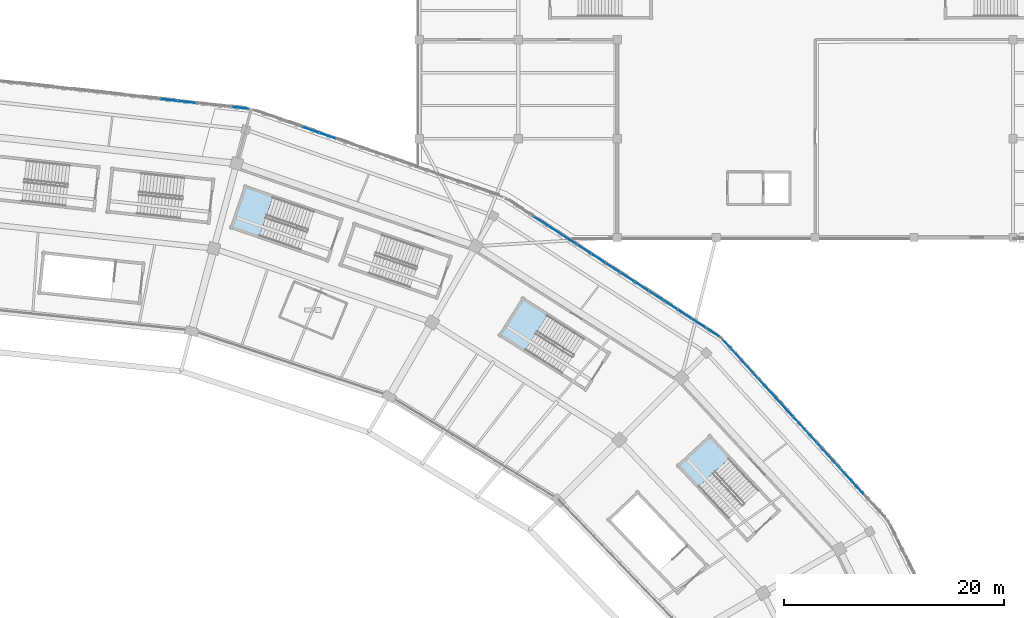
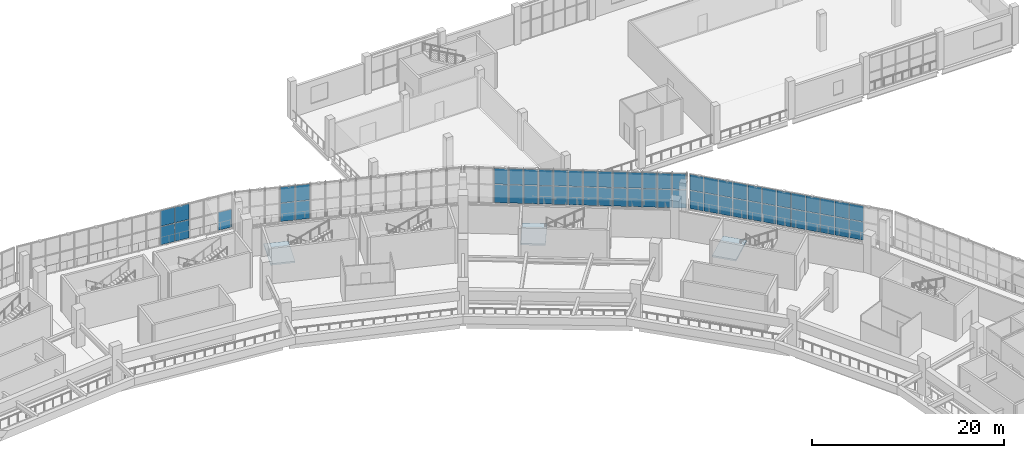
# One storey, part 94 of 179: 59 plates, 3 slabs, 7 elements without a shape of their own.
"""IFC4 building model written with IfcOpenShell, lengths in metres."""

import ifcopenshell
import ifcopenshell.guid

model = None  # the IFC model being written
_history = None  # IfcOwnerHistory: only IFC2X3 demands one
_inside = {}  # id of a spatial element -> (the spatial element, [elements in it])
_under = {}  # id of a project, library or spatial element -> (it, [spatial elements below it])
_declared = {}  # id of a project -> (the project, [libraries it declares])
_typed = {}  # id of a type object -> (the type object, [elements of that type])
_made_of = {}  # id of a material, layer set ... -> (it, [elements and type objects made of it])


def new_model(schema):
    """Start an empty IFC model of exactly this schema.

    Asked for "IFC4X3", IfcOpenShell would pick the latest addendum, in which some entities
    have other attributes; the version numbers below select the first issue.
    IFC2X3 requires an IfcOwnerHistory on every rooted entity: one is made here for all.
    """
    global model, _history
    if schema == "IFC4X3":
        model = ifcopenshell.file(schema_version=(4, 3, 0, 0))
    else:
        model = ifcopenshell.file(schema=schema)
    _inside.clear()
    _under.clear()
    _declared.clear()
    _typed.clear()
    _made_of.clear()
    _history = None
    if model.schema == "IFC2X3":
        org = make("IfcOrganization", Name="unknown")
        user = make(
            "IfcPersonAndOrganization",
            ThePerson=make("IfcPerson", FamilyName="unknown"),
            TheOrganization=org,
        )
        app = make(
            "IfcApplication",
            ApplicationDeveloper=org,
            Version="unknown",
            ApplicationFullName="unknown",
            ApplicationIdentifier="unknown",
        )
        _history = make(
            "IfcOwnerHistory",
            OwningUser=user,
            OwningApplication=app,
            ChangeAction="ADDED",
            CreationDate=0,
        )
    return model


def make(cls, **values):
    """One entity of the class cls with the attributes given. An attribute that is None is left unset."""
    return model.create_entity(
        cls, **{name: value for name, value in values.items() if value is not None}
    )


def rooted(cls, **values):
    """An entity with a GlobalId (a new one), such as an element, a storey or a relation."""
    return make(cls, GlobalId=ifcopenshell.guid.new(), OwnerHistory=_history, **values)


def si_unit(unit_type, name, prefix=None):
    """IfcSIUnit, for example si_unit("LENGTHUNIT", "METRE", prefix="MILLI")."""
    return make("IfcSIUnit", UnitType=unit_type, Prefix=prefix, Name=name)


def assignment(units):
    """IfcUnitAssignment: the units of a project."""
    return None if units is None else make("IfcUnitAssignment", Units=units)


def point(xyz):
    """IfcCartesianPoint."""
    return None if xyz is None else make("IfcCartesianPoint", Coordinates=xyz)


def direction(xyz):
    """IfcDirection."""
    return None if xyz is None else make("IfcDirection", DirectionRatios=xyz)


def frame(location, z_axis=None, x_axis=None):
    """IfcAxis2Placement3D, a coordinate frame: its origin and axes. An axis left out is left unset."""
    return make(
        "IfcAxis2Placement3D",
        Location=point(location),
        Axis=direction(z_axis),
        RefDirection=direction(x_axis),
    )


def frame_2d(location, x_axis=None):
    """IfcAxis2Placement2D, a coordinate frame in the plane: its origin and x axis."""
    return make(
        "IfcAxis2Placement2D", Location=point(location), RefDirection=direction(x_axis)
    )


def origin():
    """The frame at (0, 0, 0) with its axes left unset."""
    return frame((0.0, 0.0, 0.0))


def origin_2d():
    """The frame at (0, 0) in the plane with its x axis left unset."""
    return frame_2d((0.0, 0.0))


def place(relative_to, where):
    """IfcLocalPlacement: puts the frame where relative to a parent placement (None: the world)."""
    return make(
        "IfcLocalPlacement", PlacementRelTo=relative_to, RelativePlacement=where
    )


def context(
    kind, dimensions, precision=None, world=None, true_north=None, identifier=None
):
    """IfcGeometricRepresentationContext, for example the 3D "Model" context."""
    return make(
        "IfcGeometricRepresentationContext",
        ContextIdentifier=identifier,
        ContextType=kind,
        CoordinateSpaceDimension=dimensions,
        Precision=precision,
        WorldCoordinateSystem=world,
        TrueNorth=true_north,
    )


def subcontext(parent, identifier, kind, view, scale=None):
    """IfcGeometricRepresentationSubContext, for example "Body" below "Model"."""
    return make(
        "IfcGeometricRepresentationSubContext",
        ContextIdentifier=identifier,
        ContextType=kind,
        ParentContext=parent,
        TargetScale=scale,
        TargetView=view,
    )


def project(units=None, contexts=None):
    """IfcProject with its units and contexts."""
    return rooted(
        "IfcProject",
        Name="project",
        RepresentationContexts=contexts,
        UnitsInContext=assignment(units),
    )


def spatial(cls, under=None, at=None, **own):
    """A site, building, storey or space (cls), placed at a placement, below another one or the project."""
    s = rooted(cls, ObjectPlacement=at, **own)
    if under is not None:
        _under.setdefault(under.id(), (under, []))[1].append(s)
    return s


def polyline(points):
    """IfcPolyline through the points."""
    return make("IfcPolyline", Points=[point(p) for p in points])


def profile(cls, at=None, kind="AREA", **sizes):
    """A parametric profile (cls). Its sizes go by their IFC names, for example OverallWidth=200.0."""
    return make(cls, ProfileType=kind, Position=at, **sizes)


def rectangle(**sizes):
    """IfcRectangleProfileDef."""
    return profile("IfcRectangleProfileDef", **sizes)


def outline(outer, holes=None, kind="AREA"):
    """IfcArbitraryClosedProfileDef: a profile drawn as a closed curve; with holes, ...WithVoids."""
    if holes is None:
        return make("IfcArbitraryClosedProfileDef", ProfileType=kind, OuterCurve=outer)
    return make(
        "IfcArbitraryProfileDefWithVoids",
        ProfileType=kind,
        OuterCurve=outer,
        InnerCurves=holes,
    )


def extrude(swept, where, along, depth):
    """IfcExtrudedAreaSolid: the profile swept, set in the frame where, extruded along a direction by depth."""
    return make(
        "IfcExtrudedAreaSolid",
        SweptArea=swept,
        Position=where,
        ExtrudedDirection=direction(along),
        Depth=depth,
    )


def shape(context_of_items, identifier, shape_type, items):
    """IfcShapeRepresentation: the items that make up one representation, for example the "Body"."""
    return make(
        "IfcShapeRepresentation",
        ContextOfItems=context_of_items,
        RepresentationIdentifier=identifier,
        RepresentationType=shape_type,
        Items=items,
    )


def material(Name=None, Category=None):
    """IfcMaterial."""
    return make("IfcMaterial", Name=Name, Category=Category)


def layer(
    of_material, thickness, ventilated=None, Name=None, Category=None, Priority=None
):
    """IfcMaterialLayer: one layer of a wall or slab, of a material (None: an air gap)."""
    return make(
        "IfcMaterialLayer",
        Material=of_material,
        LayerThickness=thickness,
        IsVentilated=ventilated,
        Name=Name,
        Category=Category,
        Priority=Priority,
    )


def layer_set(layers, Name=None):
    """IfcMaterialLayerSet."""
    return make("IfcMaterialLayerSet", MaterialLayers=layers, LayerSetName=Name)


def made_of(thing, what):
    """Note that an element or type object is made of a material, layer set ...; save() writes the relation."""
    if what is not None:
        _made_of.setdefault(what.id(), (what, []))[1].append(thing)
    return thing


def type_object(cls, material=None, **own):
    """A type object (cls), such as IfcWallType, which elements share."""
    return made_of(rooted(cls, **own), material)


def element(
    cls,
    number,
    at=None,
    inside=None,
    cuts=None,
    type_object=None,
    material=None,
    context=None,
    identifier="Body",
    shape_type=None,
    held_by="IfcProductDefinitionShape",
    body=None,
    shapes=None,
    **own,
):
    """One element of the class cls, such as IfcWall. Its Tag is "e" and its number.

    at: its placement. inside: the storey or other place that contains it. cuts: it is an
    opening in that element (IfcRelVoidsElement). A single representation is given by context,
    identifier, shape_type and body (its items); several are given by shapes. held_by: the class
    of the entity that holds the representations. save() writes the other relations.
    """
    e = rooted(cls, Tag="e%d" % number, ObjectPlacement=at, **own)
    if body is not None:
        shapes = [shape(context, identifier, shape_type, body)]
    if shapes is not None:
        e.Representation = make(held_by, Representations=shapes)
    if inside is not None:
        _inside.setdefault(inside.id(), (inside, []))[1].append(e)
    if cuts is not None:
        rooted(
            "IfcRelVoidsElement", RelatingBuildingElement=cuts, RelatedOpeningElement=e
        )
    if type_object is not None:
        _typed.setdefault(type_object.id(), (type_object, []))[1].append(e)
    return made_of(e, material)


def aggregate(whole, parts):
    """IfcRelAggregates: a whole, such as a stair, and the parts it consists of."""
    return rooted("IfcRelAggregates", RelatingObject=whole, RelatedObjects=parts)


def save(model, path):
    """Write the relations noted so far, then the file.

    IfcRelAggregates (storeys below a building ...), IfcRelContainedInSpatialStructure (elements
    in a storey), IfcRelDefinesByType, IfcRelAssociatesMaterial and IfcRelDeclares: one each for
    every whole, place, type object, material and project.
    """
    for whole, parts in _under.values():
        aggregate(whole, parts)
    for where, things in _inside.values():
        rooted(
            "IfcRelContainedInSpatialStructure",
            RelatedElements=things,
            RelatingStructure=where,
        )
    for kind, things in _typed.values():
        rooted("IfcRelDefinesByType", RelatedObjects=things, RelatingType=kind)
    for what, things in _made_of.values():
        rooted("IfcRelAssociatesMaterial", RelatedObjects=things, RelatingMaterial=what)
    for by, libraries in _declared.values():
        rooted("IfcRelDeclares", RelatingContext=by, RelatedDefinitions=libraries)
    model.write(path)


model = new_model("IFC4")

# Units and contexts
model_context = context("Model", 3, precision=1e-05, world=origin(), true_north=direction((0.0, 1.0)))
body_context = subcontext(model_context, "Body", "Model", "MODEL_VIEW")
ifc_project = project(units=[si_unit("LENGTHUNIT", "METRE"), si_unit("AREAUNIT", "SQUARE_METRE"), si_unit("VOLUMEUNIT", "CUBIC_METRE"), si_unit("PLANEANGLEUNIT", "RADIAN"), si_unit("MASSUNIT", "GRAM", prefix="KILO")], contexts=[model_context])

# Site, building, storey
site_placement = place(None, origin())
site = spatial("IfcSite", under=ifc_project, at=site_placement, CompositionType="ELEMENT")
building_placement = place(site_placement, origin())
building = spatial("IfcBuilding", under=site, at=building_placement, Name="Zevraka Park Crest Stadium", CompositionType="ELEMENT")
storey_placement = place(building_placement, frame((0.0, 0.0, 10.199951171875)))
storey = spatial("IfcBuildingStorey", under=building, at=storey_placement, Name="L02", CompositionType="ELEMENT", Elevation=10.199951171875)

# Curtain wall, plates
ifc_material_1 = material(Name="Anodised architectural aluminium and laminated safety glass", Category="aluminium")
curtain_wall_type_1 = type_object("IfcCurtainWallType", Name="CW06", PredefinedType="NOTDEFINED", material=ifc_material_1)
curtain_wall_1_placement = place(storey_placement, origin())
curtain_wall_1 = element("IfcCurtainWall", 1, at=curtain_wall_1_placement, inside=storey, type_object=curtain_wall_type_1, Name="Unitised Ring Curtain Wall CW06 L02-05", PredefinedType="NOTDEFINED")
ifc_material_2 = material(Name="Solar-control laminated double glazing", Category="glass")
ifc_layer_1 = layer(ifc_material_2, 0.028076171875)
ifc_layer_set_1 = layer_set([ifc_layer_1], Name="Solar-control laminated double glazing")
plate_type_1 = type_object("IfcPlateType", Name="CP06", PredefinedType="CURTAIN_PANEL", material=ifc_layer_set_1)
plate_1_placement = place(storey_placement, frame((135.737060546875, 169.785400390625, 0.070068359375), z_axis=(0.0, 0.0, 1.0), x_axis=(-0.993899099743, 0.110293152687, 0.0)))
plate_1 = element("IfcPlate", 2, at=plate_1_placement, type_object=plate_type_1, Name="CW06 panel 1.1", PredefinedType="CURTAIN_PANEL", context=body_context, shape_type="SweptSolid", body=[
    extrude(rectangle(XDim=1.5341796875, YDim=0.028076171875, at=origin_2d()), origin(), (0.0, 0.0, 1.0), 2.294921875),
])
plate_2_placement = place(storey_placement, frame((130.866455078125, 170.32568359375, 0.070068359375), z_axis=(0.0, 0.0, 1.0), x_axis=(-0.993899099743, 0.110293152687, 0.0)))
plate_2 = element("IfcPlate", 3, at=plate_2_placement, type_object=plate_type_1, Name="CW06 panel 4.1", PredefinedType="CURTAIN_PANEL", context=body_context, shape_type="SweptSolid", body=[
    extrude(rectangle(XDim=1.5693359375, YDim=0.028076171875, at=origin_2d()), origin(), (0.0, 0.0, 1.0), 2.294921875),
])
plate_3_placement = place(storey_placement, frame((130.866455078125, 170.32568359375, 2.43505859375), z_axis=(0.0, 0.0, 1.0), x_axis=(-0.993899099743, 0.110293152687, 0.0)))
plate_3 = element("IfcPlate", 4, at=plate_3_placement, type_object=plate_type_1, Name="CW06 panel 4.2", PredefinedType="CURTAIN_PANEL", context=body_context, shape_type="SweptSolid", body=[
    extrude(rectangle(XDim=1.5693359375, YDim=0.028076171875, at=origin_2d()), origin(), (0.0, 0.0, 1.0), 1.9951171875),
])
plate_4_placement = place(storey_placement, frame((129.2373046875, 170.506591796875, 0.070068359375), z_axis=(0.0, 0.0, 1.0), x_axis=(-0.993899099743, 0.110293152687, 0.0)))
plate_4 = element("IfcPlate", 5, at=plate_4_placement, type_object=plate_type_1, Name="CW06 panel 5.1", PredefinedType="CURTAIN_PANEL", context=body_context, shape_type="SweptSolid", body=[
    extrude(rectangle(XDim=1.5693359375, YDim=0.028076171875, at=origin_2d()), origin(), (0.0, 0.0, 1.0), 2.294921875),
])
plate_5_placement = place(storey_placement, frame((129.2373046875, 170.506591796875, 2.43505859375), z_axis=(0.0, 0.0, 1.0), x_axis=(-0.993899099743, 0.110293152687, 0.0)))
plate_5 = element("IfcPlate", 6, at=plate_5_placement, type_object=plate_type_1, Name="CW06 panel 5.2", PredefinedType="CURTAIN_PANEL", context=body_context, shape_type="SweptSolid", body=[
    extrude(rectangle(XDim=1.5693359375, YDim=0.028076171875, at=origin_2d()), origin(), (0.0, 0.0, 1.0), 1.9951171875),
])
aggregate(curtain_wall_1, [plate_1, plate_2, plate_3, plate_4, plate_5])

ifc_material_3 = material(Name="Anodised architectural aluminium and laminated safety glass", Category="aluminium")
curtain_wall_type_2 = type_object("IfcCurtainWallType", Name="CW07", PredefinedType="NOTDEFINED", material=ifc_material_3)
curtain_wall_2_placement = place(storey_placement, origin())
curtain_wall_2 = element("IfcCurtainWall", 7, at=curtain_wall_2_placement, inside=storey, type_object=curtain_wall_type_2, Name="Unitised Ring Curtain Wall CW07 L02-04", PredefinedType="NOTDEFINED")
ifc_material_4 = material(Name="Solar-control laminated double glazing", Category="glass")
ifc_layer_2 = layer(ifc_material_4, 0.028076171875)
ifc_layer_set_2 = layer_set([ifc_layer_2], Name="Solar-control laminated double glazing")
plate_type_2 = type_object("IfcPlateType", Name="CP07", PredefinedType="CURTAIN_PANEL", material=ifc_layer_set_2)
plate_6_placement = place(storey_placement, frame((143.6533203125, 167.250244140625, 0.06005859375), z_axis=(0.0, 0.0, 1.0), x_axis=(-0.944114076789, 0.329618886002, 0.0)))
plate_6 = element("IfcPlate", 8, at=plate_6_placement, type_object=plate_type_2, Name="CW07 panel 11.1", PredefinedType="CURTAIN_PANEL", context=body_context, shape_type="SweptSolid", body=[
    extrude(rectangle(XDim=1.547607421875, YDim=0.028076171875, at=origin_2d()), origin(), (0.0, 0.0, 1.0), 2.31005859375),
])
plate_7_placement = place(storey_placement, frame((143.6533203125, 167.250244140625, 2.43017578125), z_axis=(0.0, 0.0, 1.0), x_axis=(-0.944114076789, 0.329618886002, 0.0)))
plate_7 = element("IfcPlate", 9, at=plate_7_placement, type_object=plate_type_2, Name="CW07 panel 11.2", PredefinedType="CURTAIN_PANEL", context=body_context, shape_type="SweptSolid", body=[
    extrude(rectangle(XDim=1.547607421875, YDim=0.028076171875, at=origin_2d()), origin(), (0.0, 0.0, 1.0), 2.010009765625),
])
plate_8_placement = place(storey_placement, frame((142.135498046875, 167.7802734375, 0.06005859375), z_axis=(0.0, 0.0, 1.0), x_axis=(-0.944114076789, 0.329618886002, 0.0)))
plate_8 = element("IfcPlate", 10, at=plate_8_placement, type_object=plate_type_2, Name="CW07 panel 12.1", PredefinedType="CURTAIN_PANEL", context=body_context, shape_type="SweptSolid", body=[
    extrude(rectangle(XDim=1.547607421875, YDim=0.028076171875, at=origin_2d()), origin(), (0.0, 0.0, 1.0), 2.31005859375),
])
plate_9_placement = place(storey_placement, frame((142.135498046875, 167.7802734375, 2.43017578125), z_axis=(0.0, 0.0, 1.0), x_axis=(-0.944114076789, 0.329618886002, 0.0)))
plate_9 = element("IfcPlate", 11, at=plate_9_placement, type_object=plate_type_2, Name="CW07 panel 12.2", PredefinedType="CURTAIN_PANEL", context=body_context, shape_type="SweptSolid", body=[
    extrude(rectangle(XDim=1.547607421875, YDim=0.028076171875, at=origin_2d()), origin(), (0.0, 0.0, 1.0), 2.010009765625),
])
aggregate(curtain_wall_2, [plate_6, plate_7, plate_8, plate_9])

ifc_material_5 = material(Name="Anodised architectural aluminium and laminated safety glass", Category="aluminium")
curtain_wall_type_3 = type_object("IfcCurtainWallType", Name="CW08", PredefinedType="NOTDEFINED", material=ifc_material_5)
curtain_wall_3_placement = place(storey_placement, origin())
curtain_wall_3 = element("IfcCurtainWall", 12, at=curtain_wall_3_placement, inside=storey, type_object=curtain_wall_type_3, Name="Unitised Ring Curtain Wall CW08 L02-02", PredefinedType="NOTDEFINED")
ifc_material_6 = material(Name="Solar-control laminated double glazing", Category="glass")
ifc_layer_3 = layer(ifc_material_6, 0.028076171875)
ifc_layer_set_3 = layer_set([ifc_layer_3], Name="Solar-control laminated double glazing")
plate_type_3 = type_object("IfcPlateType", Name="CP08", PredefinedType="CURTAIN_PANEL", material=ifc_layer_set_3)
plate_10_placement = place(storey_placement, frame((191.87548828125, 135.240234375, 0.06494140625), z_axis=(0.0, 0.0, 1.0), x_axis=(-0.673159987494, 0.739496877097, 0.0)))
plate_10 = element("IfcPlate", 13, at=plate_10_placement, type_object=plate_type_3, Name="CW08 panel 3.1", PredefinedType="CURTAIN_PANEL", context=body_context, shape_type="SweptSolid", body=[
    extrude(rectangle(XDim=1.525390625, YDim=0.028076171875, at=origin_2d()), origin(), (0.0, 0.0, 1.0), 2.302490234375),
])
plate_11_placement = place(storey_placement, frame((191.87548828125, 135.240234375, 2.4326171875), z_axis=(0.0, 0.0, 1.0), x_axis=(-0.673159987494, 0.739496877097, 0.0)))
plate_11 = element("IfcPlate", 14, at=plate_11_placement, type_object=plate_type_3, Name="CW08 panel 3.2", PredefinedType="CURTAIN_PANEL", context=body_context, shape_type="SweptSolid", body=[
    extrude(rectangle(XDim=1.525390625, YDim=0.028076171875, at=origin_2d()), origin(), (0.0, 0.0, 1.0), 2.00244140625),
])
plate_12_placement = place(storey_placement, frame((190.804931640625, 136.416259765625, 0.06494140625), z_axis=(0.0, 0.0, 1.0), x_axis=(-0.673159987494, 0.739496877097, 0.0)))
plate_12 = element("IfcPlate", 15, at=plate_12_placement, type_object=plate_type_3, Name="CW08 panel 4.1", PredefinedType="CURTAIN_PANEL", context=body_context, shape_type="SweptSolid", body=[
    extrude(rectangle(XDim=1.525390625, YDim=0.028076171875, at=origin_2d()), origin(), (0.0, 0.0, 1.0), 2.302490234375),
])
plate_13_placement = place(storey_placement, frame((190.804931640625, 136.416259765625, 2.4326171875), z_axis=(0.0, 0.0, 1.0), x_axis=(-0.673159987494, 0.739496877097, 0.0)))
plate_13 = element("IfcPlate", 16, at=plate_13_placement, type_object=plate_type_3, Name="CW08 panel 4.2", PredefinedType="CURTAIN_PANEL", context=body_context, shape_type="SweptSolid", body=[
    extrude(rectangle(XDim=1.525390625, YDim=0.028076171875, at=origin_2d()), origin(), (0.0, 0.0, 1.0), 2.00244140625),
])
plate_14_placement = place(storey_placement, frame((189.734375, 137.59228515625, 0.06494140625), z_axis=(0.0, 0.0, 1.0), x_axis=(-0.673159987494, 0.739496877097, 0.0)))
plate_14 = element("IfcPlate", 17, at=plate_14_placement, type_object=plate_type_3, Name="CW08 panel 5.1", PredefinedType="CURTAIN_PANEL", context=body_context, shape_type="SweptSolid", body=[
    extrude(rectangle(XDim=1.525390625, YDim=0.028076171875, at=origin_2d()), origin(), (0.0, 0.0, 1.0), 2.302490234375),
])
plate_15_placement = place(storey_placement, frame((189.734375, 137.59228515625, 2.4326171875), z_axis=(0.0, 0.0, 1.0), x_axis=(-0.673159987494, 0.739496877097, 0.0)))
plate_15 = element("IfcPlate", 18, at=plate_15_placement, type_object=plate_type_3, Name="CW08 panel 5.2", PredefinedType="CURTAIN_PANEL", context=body_context, shape_type="SweptSolid", body=[
    extrude(rectangle(XDim=1.525390625, YDim=0.028076171875, at=origin_2d()), origin(), (0.0, 0.0, 1.0), 2.00244140625),
])
plate_16_placement = place(storey_placement, frame((188.663818359375, 138.768310546875, 0.06494140625), z_axis=(0.0, 0.0, 1.0), x_axis=(-0.673159987494, 0.739496877097, 0.0)))
plate_16 = element("IfcPlate", 19, at=plate_16_placement, type_object=plate_type_3, Name="CW08 panel 6.1", PredefinedType="CURTAIN_PANEL", context=body_context, shape_type="SweptSolid", body=[
    extrude(rectangle(XDim=1.525390625, YDim=0.028076171875, at=origin_2d()), origin(), (0.0, 0.0, 1.0), 2.302490234375),
])
plate_17_placement = place(storey_placement, frame((188.663818359375, 138.768310546875, 2.4326171875), z_axis=(0.0, 0.0, 1.0), x_axis=(-0.673159987494, 0.739496877097, 0.0)))
plate_17 = element("IfcPlate", 20, at=plate_17_placement, type_object=plate_type_3, Name="CW08 panel 6.2", PredefinedType="CURTAIN_PANEL", context=body_context, shape_type="SweptSolid", body=[
    extrude(rectangle(XDim=1.525390625, YDim=0.028076171875, at=origin_2d()), origin(), (0.0, 0.0, 1.0), 2.00244140625),
])
plate_18_placement = place(storey_placement, frame((187.59326171875, 139.944580078125, 0.06494140625), z_axis=(0.0, 0.0, 1.0), x_axis=(-0.673159987494, 0.739496877097, 0.0)))
plate_18 = element("IfcPlate", 21, at=plate_18_placement, type_object=plate_type_3, Name="CW08 panel 7.1", PredefinedType="CURTAIN_PANEL", context=body_context, shape_type="SweptSolid", body=[
    extrude(rectangle(XDim=1.525390625, YDim=0.028076171875, at=origin_2d()), origin(), (0.0, 0.0, 1.0), 2.302490234375),
])
plate_19_placement = place(storey_placement, frame((187.59326171875, 139.944580078125, 2.4326171875), z_axis=(0.0, 0.0, 1.0), x_axis=(-0.673159987494, 0.739496877097, 0.0)))
plate_19 = element("IfcPlate", 22, at=plate_19_placement, type_object=plate_type_3, Name="CW08 panel 7.2", PredefinedType="CURTAIN_PANEL", context=body_context, shape_type="SweptSolid", body=[
    extrude(rectangle(XDim=1.525390625, YDim=0.028076171875, at=origin_2d()), origin(), (0.0, 0.0, 1.0), 2.00244140625),
])
plate_20_placement = place(storey_placement, frame((186.522705078125, 141.12060546875, 0.06494140625), z_axis=(0.0, 0.0, 1.0), x_axis=(-0.673159987494, 0.739496877097, 0.0)))
plate_20 = element("IfcPlate", 23, at=plate_20_placement, type_object=plate_type_3, Name="CW08 panel 8.1", PredefinedType="CURTAIN_PANEL", context=body_context, shape_type="SweptSolid", body=[
    extrude(rectangle(XDim=1.525390625, YDim=0.028076171875, at=origin_2d()), origin(), (0.0, 0.0, 1.0), 2.302490234375),
])
plate_21_placement = place(storey_placement, frame((186.522705078125, 141.12060546875, 2.4326171875), z_axis=(0.0, 0.0, 1.0), x_axis=(-0.673159987494, 0.739496877097, 0.0)))
plate_21 = element("IfcPlate", 24, at=plate_21_placement, type_object=plate_type_3, Name="CW08 panel 8.2", PredefinedType="CURTAIN_PANEL", context=body_context, shape_type="SweptSolid", body=[
    extrude(rectangle(XDim=1.525390625, YDim=0.028076171875, at=origin_2d()), origin(), (0.0, 0.0, 1.0), 2.00244140625),
])
plate_22_placement = place(storey_placement, frame((185.4521484375, 142.296630859375, 0.06494140625), z_axis=(0.0, 0.0, 1.0), x_axis=(-0.673159987494, 0.739496877097, 0.0)))
plate_22 = element("IfcPlate", 25, at=plate_22_placement, type_object=plate_type_3, Name="CW08 panel 9.1", PredefinedType="CURTAIN_PANEL", context=body_context, shape_type="SweptSolid", body=[
    extrude(rectangle(XDim=1.525390625, YDim=0.028076171875, at=origin_2d()), origin(), (0.0, 0.0, 1.0), 2.302490234375),
])
plate_23_placement = place(storey_placement, frame((185.4521484375, 142.296630859375, 2.4326171875), z_axis=(0.0, 0.0, 1.0), x_axis=(-0.673159987494, 0.739496877097, 0.0)))
plate_23 = element("IfcPlate", 26, at=plate_23_placement, type_object=plate_type_3, Name="CW08 panel 9.2", PredefinedType="CURTAIN_PANEL", context=body_context, shape_type="SweptSolid", body=[
    extrude(rectangle(XDim=1.525390625, YDim=0.028076171875, at=origin_2d()), origin(), (0.0, 0.0, 1.0), 2.00244140625),
])
plate_24_placement = place(storey_placement, frame((184.381591796875, 143.47265625, 0.06494140625), z_axis=(0.0, 0.0, 1.0), x_axis=(-0.673159987494, 0.739496877097, 0.0)))
plate_24 = element("IfcPlate", 27, at=plate_24_placement, type_object=plate_type_3, Name="CW08 panel 10.1", PredefinedType="CURTAIN_PANEL", context=body_context, shape_type="SweptSolid", body=[
    extrude(rectangle(XDim=1.525390625, YDim=0.028076171875, at=origin_2d()), origin(), (0.0, 0.0, 1.0), 2.302490234375),
])
plate_25_placement = place(storey_placement, frame((184.381591796875, 143.47265625, 2.4326171875), z_axis=(0.0, 0.0, 1.0), x_axis=(-0.673159987494, 0.739496877097, 0.0)))
plate_25 = element("IfcPlate", 28, at=plate_25_placement, type_object=plate_type_3, Name="CW08 panel 10.2", PredefinedType="CURTAIN_PANEL", context=body_context, shape_type="SweptSolid", body=[
    extrude(rectangle(XDim=1.525390625, YDim=0.028076171875, at=origin_2d()), origin(), (0.0, 0.0, 1.0), 2.00244140625),
])
plate_26_placement = place(storey_placement, frame((183.31103515625, 144.648681640625, 0.06494140625), z_axis=(0.0, 0.0, 1.0), x_axis=(-0.673159987494, 0.739496877097, 0.0)))
plate_26 = element("IfcPlate", 29, at=plate_26_placement, type_object=plate_type_3, Name="CW08 panel 11.1", PredefinedType="CURTAIN_PANEL", context=body_context, shape_type="SweptSolid", body=[
    extrude(rectangle(XDim=1.525390625, YDim=0.028076171875, at=origin_2d()), origin(), (0.0, 0.0, 1.0), 2.302490234375),
])
plate_27_placement = place(storey_placement, frame((183.31103515625, 144.648681640625, 2.4326171875), z_axis=(0.0, 0.0, 1.0), x_axis=(-0.673159987494, 0.739496877097, 0.0)))
plate_27 = element("IfcPlate", 30, at=plate_27_placement, type_object=plate_type_3, Name="CW08 panel 11.2", PredefinedType="CURTAIN_PANEL", context=body_context, shape_type="SweptSolid", body=[
    extrude(rectangle(XDim=1.525390625, YDim=0.028076171875, at=origin_2d()), origin(), (0.0, 0.0, 1.0), 2.00244140625),
])
plate_28_placement = place(storey_placement, frame((182.240478515625, 145.82470703125, 0.06494140625), z_axis=(0.0, 0.0, 1.0), x_axis=(-0.673159987494, 0.739496877097, 0.0)))
plate_28 = element("IfcPlate", 31, at=plate_28_placement, type_object=plate_type_3, Name="CW08 panel 12.1", PredefinedType="CURTAIN_PANEL", context=body_context, shape_type="SweptSolid", body=[
    extrude(rectangle(XDim=1.525390625, YDim=0.028076171875, at=origin_2d()), origin(), (0.0, 0.0, 1.0), 2.302490234375),
])
plate_29_placement = place(storey_placement, frame((182.240478515625, 145.82470703125, 2.4326171875), z_axis=(0.0, 0.0, 1.0), x_axis=(-0.673159987494, 0.739496877097, 0.0)))
plate_29 = element("IfcPlate", 32, at=plate_29_placement, type_object=plate_type_3, Name="CW08 panel 12.2", PredefinedType="CURTAIN_PANEL", context=body_context, shape_type="SweptSolid", body=[
    extrude(rectangle(XDim=1.525390625, YDim=0.028076171875, at=origin_2d()), origin(), (0.0, 0.0, 1.0), 2.00244140625),
])
plate_30_placement = place(storey_placement, frame((181.169921875, 147.0009765625, 0.06494140625), z_axis=(0.0, 0.0, 1.0), x_axis=(-0.673159987494, 0.739496877097, 0.0)))
plate_30 = element("IfcPlate", 33, at=plate_30_placement, type_object=plate_type_3, Name="CW08 panel 13.1", PredefinedType="CURTAIN_PANEL", context=body_context, shape_type="SweptSolid", body=[
    extrude(rectangle(XDim=1.525390625, YDim=0.028076171875, at=origin_2d()), origin(), (0.0, 0.0, 1.0), 2.302490234375),
])
plate_31_placement = place(storey_placement, frame((181.169921875, 147.0009765625, 2.4326171875), z_axis=(0.0, 0.0, 1.0), x_axis=(-0.673159987494, 0.739496877097, 0.0)))
plate_31 = element("IfcPlate", 34, at=plate_31_placement, type_object=plate_type_3, Name="CW08 panel 13.2", PredefinedType="CURTAIN_PANEL", context=body_context, shape_type="SweptSolid", body=[
    extrude(rectangle(XDim=1.525390625, YDim=0.028076171875, at=origin_2d()), origin(), (0.0, 0.0, 1.0), 2.00244140625),
])
plate_32_placement = place(storey_placement, frame((180.110107421875, 148.1650390625, 0.06494140625), z_axis=(0.0, 0.0, 1.0), x_axis=(-0.673159987494, 0.739496877097, 0.0)))
plate_32 = element("IfcPlate", 35, at=plate_32_placement, type_object=plate_type_3, Name="CW08 panel 14.1", PredefinedType="CURTAIN_PANEL", context=body_context, shape_type="SweptSolid", body=[
    extrude(rectangle(XDim=1.492919921875, YDim=0.028076171875, at=origin_2d()), origin(), (0.0, 0.0, 1.0), 2.302490234375),
])
plate_33_placement = place(storey_placement, frame((180.110107421875, 148.1650390625, 2.4326171875), z_axis=(0.0, 0.0, 1.0), x_axis=(-0.673159987494, 0.739496877097, 0.0)))
plate_33 = element("IfcPlate", 36, at=plate_33_placement, type_object=plate_type_3, Name="CW08 panel 14.2", PredefinedType="CURTAIN_PANEL", context=body_context, shape_type="SweptSolid", body=[
    extrude(rectangle(XDim=1.492919921875, YDim=0.028076171875, at=origin_2d()), origin(), (0.0, 0.0, 1.0), 2.00244140625),
])
aggregate(curtain_wall_3, [plate_10, plate_11, plate_12, plate_13, plate_14, plate_15, plate_16, plate_17, plate_18, plate_19, plate_20, plate_21, plate_22, plate_23, plate_24, plate_25, plate_26, plate_27, plate_28, plate_29, plate_30, plate_31, plate_32, plate_33])

curtain_wall_4_placement = place(storey_placement, origin())
curtain_wall_4 = element("IfcCurtainWall", 37, at=curtain_wall_4_placement, inside=storey, type_object=curtain_wall_type_3, Name="Unitised Ring Curtain Wall CW08 L02-03", PredefinedType="NOTDEFINED")
plate_34_placement = place(storey_placement, frame((178.702880859375, 149.361083984375, 0.06494140625), z_axis=(0.0, 0.0, 1.0), x_axis=(-0.839670424967, 0.543096287444, 0.0)))
plate_34 = element("IfcPlate", 38, at=plate_34_placement, type_object=plate_type_3, Name="CW08 panel 1.1", PredefinedType="CURTAIN_PANEL", context=body_context, shape_type="SweptSolid", body=[
    extrude(rectangle(XDim=1.4541015625, YDim=0.028076171875, at=origin_2d()), origin(), (0.0, 0.0, 1.0), 2.302490234375),
])
plate_35_placement = place(storey_placement, frame((178.702880859375, 149.361083984375, 2.4326171875), z_axis=(0.0, 0.0, 1.0), x_axis=(-0.839670424967, 0.543096287444, 0.0)))
plate_35 = element("IfcPlate", 39, at=plate_35_placement, type_object=plate_type_3, Name="CW08 panel 1.2", PredefinedType="CURTAIN_PANEL", context=body_context, shape_type="SweptSolid", body=[
    extrude(rectangle(XDim=1.4541015625, YDim=0.028076171875, at=origin_2d()), origin(), (0.0, 0.0, 1.0), 2.00244140625),
])
plate_36_placement = place(storey_placement, frame((177.41357421875, 150.195068359375, 0.06494140625), z_axis=(0.0, 0.0, 1.0), x_axis=(-0.839670424967, 0.543096287444, 0.0)))
plate_36 = element("IfcPlate", 40, at=plate_36_placement, type_object=plate_type_3, Name="CW08 panel 2.1", PredefinedType="CURTAIN_PANEL", context=body_context, shape_type="SweptSolid", body=[
    extrude(rectangle(XDim=1.48681640625, YDim=0.028076171875, at=origin_2d()), origin(), (0.0, 0.0, 1.0), 2.302490234375),
])
plate_37_placement = place(storey_placement, frame((177.41357421875, 150.195068359375, 2.4326171875), z_axis=(0.0, 0.0, 1.0), x_axis=(-0.839670424967, 0.543096287444, 0.0)))
plate_37 = element("IfcPlate", 41, at=plate_37_placement, type_object=plate_type_3, Name="CW08 panel 2.2", PredefinedType="CURTAIN_PANEL", context=body_context, shape_type="SweptSolid", body=[
    extrude(rectangle(XDim=1.48681640625, YDim=0.028076171875, at=origin_2d()), origin(), (0.0, 0.0, 1.0), 2.00244140625),
])
plate_38_placement = place(storey_placement, frame((176.110595703125, 151.037841796875, 0.06494140625), z_axis=(0.0, 0.0, 1.0), x_axis=(-0.839670424967, 0.543096287444, 0.0)))
plate_38 = element("IfcPlate", 42, at=plate_38_placement, type_object=plate_type_3, Name="CW08 panel 3.1", PredefinedType="CURTAIN_PANEL", context=body_context, shape_type="SweptSolid", body=[
    extrude(rectangle(XDim=1.48681640625, YDim=0.028076171875, at=origin_2d()), origin(), (0.0, 0.0, 1.0), 2.302490234375),
])
plate_39_placement = place(storey_placement, frame((176.110595703125, 151.037841796875, 2.4326171875), z_axis=(0.0, 0.0, 1.0), x_axis=(-0.839670424967, 0.543096287444, 0.0)))
plate_39 = element("IfcPlate", 43, at=plate_39_placement, type_object=plate_type_3, Name="CW08 panel 3.2", PredefinedType="CURTAIN_PANEL", context=body_context, shape_type="SweptSolid", body=[
    extrude(rectangle(XDim=1.48681640625, YDim=0.028076171875, at=origin_2d()), origin(), (0.0, 0.0, 1.0), 2.00244140625),
])
plate_40_placement = place(storey_placement, frame((174.8076171875, 151.880615234375, 0.06494140625), z_axis=(0.0, 0.0, 1.0), x_axis=(-0.839670424967, 0.543096287444, 0.0)))
plate_40 = element("IfcPlate", 44, at=plate_40_placement, type_object=plate_type_3, Name="CW08 panel 4.1", PredefinedType="CURTAIN_PANEL", context=body_context, shape_type="SweptSolid", body=[
    extrude(rectangle(XDim=1.48681640625, YDim=0.028076171875, at=origin_2d()), origin(), (0.0, 0.0, 1.0), 2.302490234375),
])
plate_41_placement = place(storey_placement, frame((174.8076171875, 151.880615234375, 2.4326171875), z_axis=(0.0, 0.0, 1.0), x_axis=(-0.839670424967, 0.543096287444, 0.0)))
plate_41 = element("IfcPlate", 45, at=plate_41_placement, type_object=plate_type_3, Name="CW08 panel 4.2", PredefinedType="CURTAIN_PANEL", context=body_context, shape_type="SweptSolid", body=[
    extrude(rectangle(XDim=1.48681640625, YDim=0.028076171875, at=origin_2d()), origin(), (0.0, 0.0, 1.0), 2.00244140625),
])
plate_42_placement = place(storey_placement, frame((173.5048828125, 152.723388671875, 0.06494140625), z_axis=(0.0, 0.0, 1.0), x_axis=(-0.839670424967, 0.543096287444, 0.0)))
plate_42 = element("IfcPlate", 46, at=plate_42_placement, type_object=plate_type_3, Name="CW08 panel 5.1", PredefinedType="CURTAIN_PANEL", context=body_context, shape_type="SweptSolid", body=[
    extrude(rectangle(XDim=1.48681640625, YDim=0.028076171875, at=origin_2d()), origin(), (0.0, 0.0, 1.0), 2.302490234375),
])
plate_43_placement = place(storey_placement, frame((173.5048828125, 152.723388671875, 2.4326171875), z_axis=(0.0, 0.0, 1.0), x_axis=(-0.839670424967, 0.543096287444, 0.0)))
plate_43 = element("IfcPlate", 47, at=plate_43_placement, type_object=plate_type_3, Name="CW08 panel 5.2", PredefinedType="CURTAIN_PANEL", context=body_context, shape_type="SweptSolid", body=[
    extrude(rectangle(XDim=1.48681640625, YDim=0.028076171875, at=origin_2d()), origin(), (0.0, 0.0, 1.0), 2.00244140625),
])
plate_44_placement = place(storey_placement, frame((172.201904296875, 153.56591796875, 0.06494140625), z_axis=(0.0, 0.0, 1.0), x_axis=(-0.839670424967, 0.543096287444, 0.0)))
plate_44 = element("IfcPlate", 48, at=plate_44_placement, type_object=plate_type_3, Name="CW08 panel 6.1", PredefinedType="CURTAIN_PANEL", context=body_context, shape_type="SweptSolid", body=[
    extrude(rectangle(XDim=1.48681640625, YDim=0.028076171875, at=origin_2d()), origin(), (0.0, 0.0, 1.0), 2.302490234375),
])
plate_45_placement = place(storey_placement, frame((172.201904296875, 153.56591796875, 2.4326171875), z_axis=(0.0, 0.0, 1.0), x_axis=(-0.839670424967, 0.543096287444, 0.0)))
plate_45 = element("IfcPlate", 49, at=plate_45_placement, type_object=plate_type_3, Name="CW08 panel 6.2", PredefinedType="CURTAIN_PANEL", context=body_context, shape_type="SweptSolid", body=[
    extrude(rectangle(XDim=1.48681640625, YDim=0.028076171875, at=origin_2d()), origin(), (0.0, 0.0, 1.0), 2.00244140625),
])
plate_46_placement = place(storey_placement, frame((170.89892578125, 154.40869140625, 0.06494140625), z_axis=(0.0, 0.0, 1.0), x_axis=(-0.839670424967, 0.543096287444, 0.0)))
plate_46 = element("IfcPlate", 50, at=plate_46_placement, type_object=plate_type_3, Name="CW08 panel 7.1", PredefinedType="CURTAIN_PANEL", context=body_context, shape_type="SweptSolid", body=[
    extrude(rectangle(XDim=1.48681640625, YDim=0.028076171875, at=origin_2d()), origin(), (0.0, 0.0, 1.0), 2.302490234375),
])
plate_47_placement = place(storey_placement, frame((170.89892578125, 154.40869140625, 2.4326171875), z_axis=(0.0, 0.0, 1.0), x_axis=(-0.839670424967, 0.543096287444, 0.0)))
plate_47 = element("IfcPlate", 51, at=plate_47_placement, type_object=plate_type_3, Name="CW08 panel 7.2", PredefinedType="CURTAIN_PANEL", context=body_context, shape_type="SweptSolid", body=[
    extrude(rectangle(XDim=1.48681640625, YDim=0.028076171875, at=origin_2d()), origin(), (0.0, 0.0, 1.0), 2.00244140625),
])
plate_48_placement = place(storey_placement, frame((169.595947265625, 155.25146484375, 0.06494140625), z_axis=(0.0, 0.0, 1.0), x_axis=(-0.839670424967, 0.543096287444, 0.0)))
plate_48 = element("IfcPlate", 52, at=plate_48_placement, type_object=plate_type_3, Name="CW08 panel 8.1", PredefinedType="CURTAIN_PANEL", context=body_context, shape_type="SweptSolid", body=[
    extrude(rectangle(XDim=1.48681640625, YDim=0.028076171875, at=origin_2d()), origin(), (0.0, 0.0, 1.0), 2.302490234375),
])
plate_49_placement = place(storey_placement, frame((169.595947265625, 155.25146484375, 2.4326171875), z_axis=(0.0, 0.0, 1.0), x_axis=(-0.839670424967, 0.543096287444, 0.0)))
plate_49 = element("IfcPlate", 53, at=plate_49_placement, type_object=plate_type_3, Name="CW08 panel 8.2", PredefinedType="CURTAIN_PANEL", context=body_context, shape_type="SweptSolid", body=[
    extrude(rectangle(XDim=1.48681640625, YDim=0.028076171875, at=origin_2d()), origin(), (0.0, 0.0, 1.0), 2.00244140625),
])
plate_50_placement = place(storey_placement, frame((168.29296875, 156.09423828125, 0.06494140625), z_axis=(0.0, 0.0, 1.0), x_axis=(-0.839670424967, 0.543096287444, 0.0)))
plate_50 = element("IfcPlate", 54, at=plate_50_placement, type_object=plate_type_3, Name="CW08 panel 9.1", PredefinedType="CURTAIN_PANEL", context=body_context, shape_type="SweptSolid", body=[
    extrude(rectangle(XDim=1.48681640625, YDim=0.028076171875, at=origin_2d()), origin(), (0.0, 0.0, 1.0), 2.302490234375),
])
plate_51_placement = place(storey_placement, frame((168.29296875, 156.09423828125, 2.4326171875), z_axis=(0.0, 0.0, 1.0), x_axis=(-0.839670424967, 0.543096287444, 0.0)))
plate_51 = element("IfcPlate", 55, at=plate_51_placement, type_object=plate_type_3, Name="CW08 panel 9.2", PredefinedType="CURTAIN_PANEL", context=body_context, shape_type="SweptSolid", body=[
    extrude(rectangle(XDim=1.48681640625, YDim=0.028076171875, at=origin_2d()), origin(), (0.0, 0.0, 1.0), 2.00244140625),
])
plate_52_placement = place(storey_placement, frame((166.990234375, 156.93701171875, 0.06494140625), z_axis=(0.0, 0.0, 1.0), x_axis=(-0.839670424967, 0.543096287444, 0.0)))
plate_52 = element("IfcPlate", 56, at=plate_52_placement, type_object=plate_type_3, Name="CW08 panel 10.1", PredefinedType="CURTAIN_PANEL", context=body_context, shape_type="SweptSolid", body=[
    extrude(rectangle(XDim=1.48681640625, YDim=0.028076171875, at=origin_2d()), origin(), (0.0, 0.0, 1.0), 2.302490234375),
])
plate_53_placement = place(storey_placement, frame((166.990234375, 156.93701171875, 2.4326171875), z_axis=(0.0, 0.0, 1.0), x_axis=(-0.839670424967, 0.543096287444, 0.0)))
plate_53 = element("IfcPlate", 57, at=plate_53_placement, type_object=plate_type_3, Name="CW08 panel 10.2", PredefinedType="CURTAIN_PANEL", context=body_context, shape_type="SweptSolid", body=[
    extrude(rectangle(XDim=1.48681640625, YDim=0.028076171875, at=origin_2d()), origin(), (0.0, 0.0, 1.0), 2.00244140625),
])
plate_54_placement = place(storey_placement, frame((165.687255859375, 157.77978515625, 0.06494140625), z_axis=(0.0, 0.0, 1.0), x_axis=(-0.839670424967, 0.543096287444, 0.0)))
plate_54 = element("IfcPlate", 58, at=plate_54_placement, type_object=plate_type_3, Name="CW08 panel 11.1", PredefinedType="CURTAIN_PANEL", context=body_context, shape_type="SweptSolid", body=[
    extrude(rectangle(XDim=1.48681640625, YDim=0.028076171875, at=origin_2d()), origin(), (0.0, 0.0, 1.0), 2.302490234375),
])
plate_55_placement = place(storey_placement, frame((165.687255859375, 157.77978515625, 2.4326171875), z_axis=(0.0, 0.0, 1.0), x_axis=(-0.839670424967, 0.543096287444, 0.0)))
plate_55 = element("IfcPlate", 59, at=plate_55_placement, type_object=plate_type_3, Name="CW08 panel 11.2", PredefinedType="CURTAIN_PANEL", context=body_context, shape_type="SweptSolid", body=[
    extrude(rectangle(XDim=1.48681640625, YDim=0.028076171875, at=origin_2d()), origin(), (0.0, 0.0, 1.0), 2.00244140625),
])
plate_56_placement = place(storey_placement, frame((164.38427734375, 158.622314453125, 0.06494140625), z_axis=(0.0, 0.0, 1.0), x_axis=(-0.839670424967, 0.543096287444, 0.0)))
plate_56 = element("IfcPlate", 60, at=plate_56_placement, type_object=plate_type_3, Name="CW08 panel 12.1", PredefinedType="CURTAIN_PANEL", context=body_context, shape_type="SweptSolid", body=[
    extrude(rectangle(XDim=1.48681640625, YDim=0.028076171875, at=origin_2d()), origin(), (0.0, 0.0, 1.0), 2.302490234375),
])
plate_57_placement = place(storey_placement, frame((164.38427734375, 158.622314453125, 2.4326171875), z_axis=(0.0, 0.0, 1.0), x_axis=(-0.839670424967, 0.543096287444, 0.0)))
plate_57 = element("IfcPlate", 61, at=plate_57_placement, type_object=plate_type_3, Name="CW08 panel 12.2", PredefinedType="CURTAIN_PANEL", context=body_context, shape_type="SweptSolid", body=[
    extrude(rectangle(XDim=1.48681640625, YDim=0.028076171875, at=origin_2d()), origin(), (0.0, 0.0, 1.0), 2.00244140625),
])
plate_58_placement = place(storey_placement, frame((163.081298828125, 159.465087890625, 0.06494140625), z_axis=(0.0, 0.0, 1.0), x_axis=(-0.839670424967, 0.543096287444, 0.0)))
plate_58 = element("IfcPlate", 62, at=plate_58_placement, type_object=plate_type_3, Name="CW08 panel 13.1", PredefinedType="CURTAIN_PANEL", context=body_context, shape_type="SweptSolid", body=[
    extrude(rectangle(XDim=1.48681640625, YDim=0.028076171875, at=origin_2d()), origin(), (0.0, 0.0, 1.0), 2.302490234375),
])
plate_59_placement = place(storey_placement, frame((163.081298828125, 159.465087890625, 2.4326171875), z_axis=(0.0, 0.0, 1.0), x_axis=(-0.839670424967, 0.543096287444, 0.0)))
plate_59 = element("IfcPlate", 63, at=plate_59_placement, type_object=plate_type_3, Name="CW08 panel 13.2", PredefinedType="CURTAIN_PANEL", context=body_context, shape_type="SweptSolid", body=[
    extrude(rectangle(XDim=1.48681640625, YDim=0.028076171875, at=origin_2d()), origin(), (0.0, 0.0, 1.0), 2.00244140625),
])
aggregate(curtain_wall_4, [plate_34, plate_35, plate_36, plate_37, plate_38, plate_39, plate_40, plate_41, plate_42, plate_43, plate_44, plate_45, plate_46, plate_47, plate_48, plate_49, plate_50, plate_51, plate_52, plate_53, plate_54, plate_55, plate_56, plate_57, plate_58, plate_59])

# Stair, slab
ifc_material_7 = material(Name="Concrete C35/45", Category="concrete")
stair_type = type_object("IfcStairType", Name="STA2", PredefinedType="HALF_TURN_STAIR", material=ifc_material_7)
stair_1_placement = place(storey_placement, origin())
stair_1 = element("IfcStair", 64, at=stair_1_placement, inside=storey, type_object=stair_type, Name="L02 Protected Concourse Exit Stair ST03", PredefinedType="HALF_TURN_STAIR")
ifc_material_8 = material(Name="Concrete C35/45", Category="concrete")
ifc_layer_4 = layer(ifc_material_8, 0.199951171875)
ifc_layer_set_4 = layer_set([ifc_layer_4], Name="Concrete C35/45")
slab_type = type_object("IfcSlabType", Name="LS01", PredefinedType="LANDING", material=ifc_layer_set_4)
slab_1_placement = place(storey_placement, frame((0.0, 0.0, 2.199951171875)))
slab_1 = element("IfcSlab", 65, at=slab_1_placement, type_object=slab_type, Name="ST03 landing 1", PredefinedType="LANDING", context=body_context, shape_type="SweptSolid", body=[
    extrude(outline(polyline([(180.192138671875, 137.896240234375), (178.416748046875, 139.809326171875), (175.66064453125, 137.251708984375), (177.436279296875, 135.338623046875), (180.192138671875, 137.896240234375)])), origin(), (0.0, 0.0, 1.0), 0.2001953125),
])
aggregate(stair_1, [slab_1])

stair_2_placement = place(storey_placement, origin())
stair_2 = element("IfcStair", 66, at=stair_2_placement, inside=storey, type_object=stair_type, Name="L02 Protected Concourse Exit Stair ST04", PredefinedType="HALF_TURN_STAIR")
slab_2_placement = place(storey_placement, frame((0.0, 0.0, 2.199951171875)))
slab_2 = element("IfcSlab", 67, at=slab_2_placement, type_object=slab_type, Name="ST04 landing 1", PredefinedType="LANDING", context=body_context, shape_type="SweptSolid", body=[
    extrude(outline(polyline([(163.658203125, 150.930908203125), (161.4541015625, 152.329345703125), (159.43994140625, 149.154296875), (161.643798828125, 147.756103515625), (163.658203125, 150.930908203125)])), origin(), (0.0, 0.0, 1.0), 0.2001953125),
])
aggregate(stair_2, [slab_2])

stair_3_placement = place(storey_placement, origin())
stair_3 = element("IfcStair", 68, at=stair_3_placement, inside=storey, type_object=stair_type, Name="L02 Protected Paired Concourse Exit Stair ST25", PredefinedType="HALF_TURN_STAIR")
slab_3_placement = place(storey_placement, frame((0.0, 0.0, 2.199951171875)))
slab_3 = element("IfcSlab", 69, at=slab_3_placement, type_object=slab_type, Name="ST25 landing 1", PredefinedType="LANDING", context=body_context, shape_type="SweptSolid", body=[
    extrude(outline(polyline([(138.687255859375, 161.683349609375), (136.218017578125, 162.529052734375), (135.0, 158.9716796875), (137.46923828125, 158.126220703125), (138.687255859375, 161.683349609375)])), origin(), (0.0, 0.0, 1.0), 0.2001953125),
])
aggregate(stair_3, [slab_3])

save(model, "model.ifc")
